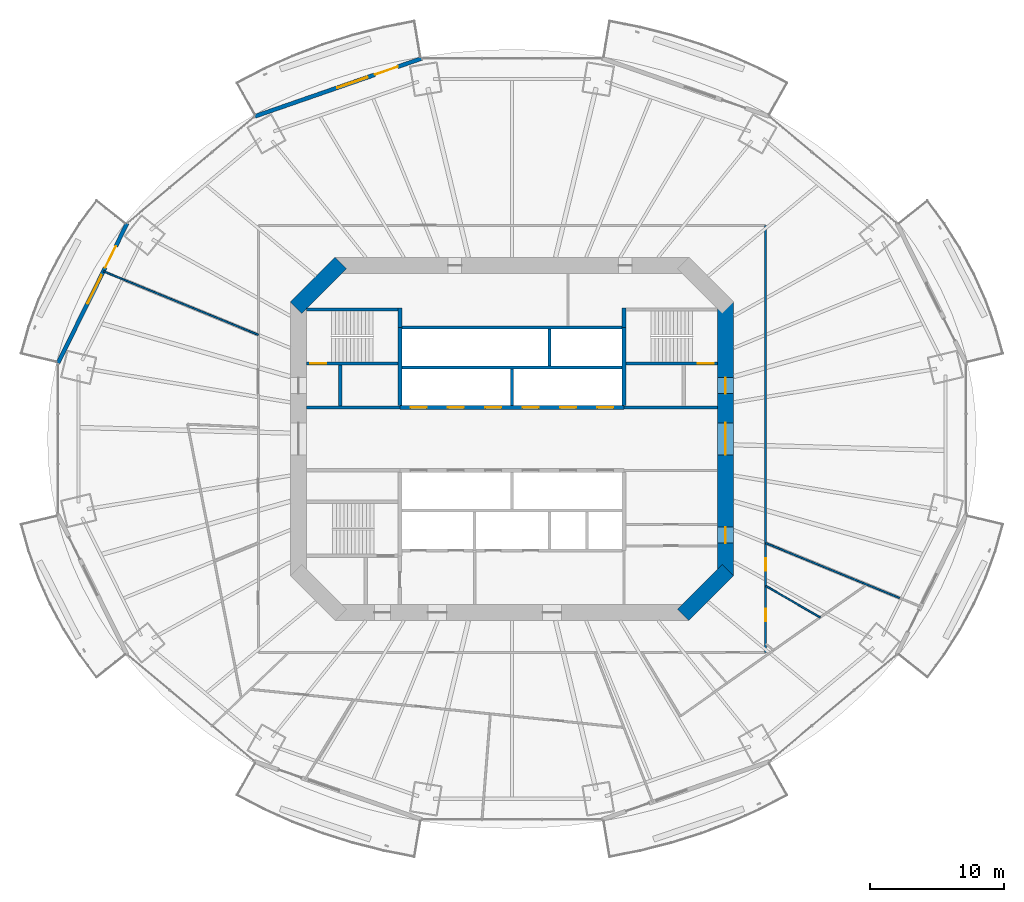
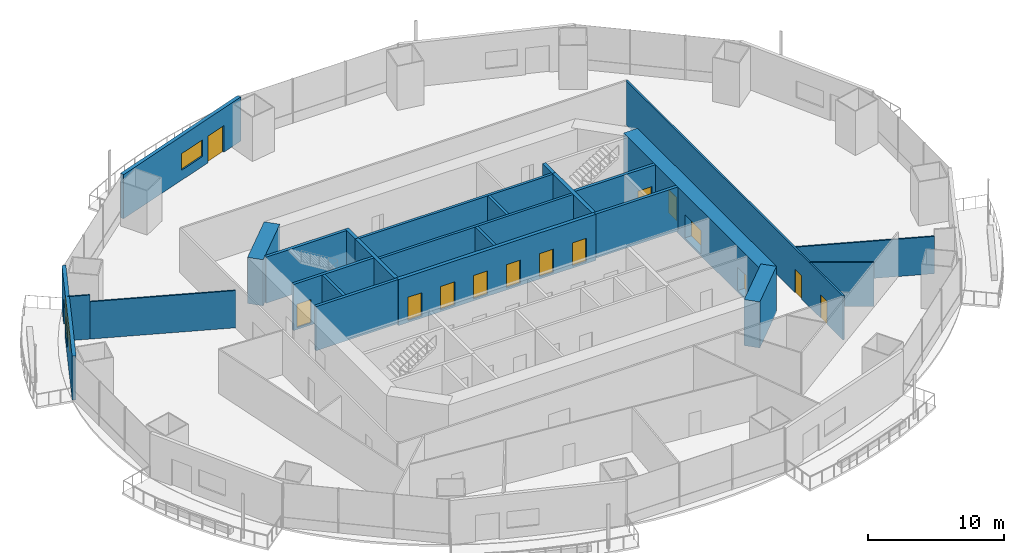
# One storey, part 15 of 22: 25 walls, 15 doors, 2 windows, 17 openings.
"""IFC4 building model written with IfcOpenShell, lengths in metres."""

from ifc_helpers import new_model, si_unit, direction, frame, frame_2d, origin, place, context, subcontext, project, spatial, rectangle, extrude, material, layer, layer_set, type_object, element, fill, save


model = new_model("IFC4")

# Units and contexts
model_context = context("Model", 3, precision=1e-05, world=origin(), true_north=direction((0.0, 1.0)))
body_context = subcontext(model_context, "Body", "Model", "MODEL_VIEW")
ifc_project = project(units=[si_unit("LENGTHUNIT", "METRE"), si_unit("AREAUNIT", "SQUARE_METRE"), si_unit("VOLUMEUNIT", "CUBIC_METRE"), si_unit("PLANEANGLEUNIT", "RADIAN"), si_unit("MASSUNIT", "GRAM", prefix="KILO")], contexts=[model_context])

# Site, building, storey
site_placement = place(None, origin())
site = spatial("IfcSite", under=ifc_project, at=site_placement, CompositionType="ELEMENT")
building_placement = place(site_placement, origin())
building = spatial("IfcBuilding", under=site, at=building_placement, Name="Marenthal Gate Tower", CompositionType="ELEMENT")
storey_placement = place(building_placement, frame((0.0, 0.0, 95.25)))
storey = spatial("IfcBuildingStorey", under=building, at=storey_placement, Name="L19", CompositionType="ELEMENT", Elevation=95.25)

# Wall
ifc_material_1 = material(Name="Concrete 60 MPa", Category="concrete")
ifc_layer_1 = layer(ifc_material_1, 1.199951171875)
ifc_layer_set_1 = layer_set([ifc_layer_1], Name="Core shear wall 1200")
wall_type_1 = type_object("IfcWallType", Name="Core shear wall 1200", PredefinedType="SHEAR", material=ifc_layer_set_1)
wall_1_placement = place(storey_placement, frame((12.82421875, -13.17578125, -0.179931640625), z_axis=(0.0, 0.0, 1.0), x_axis=(0.707106781187, 0.707106781187, 0.0)))
element("IfcWall", 1, at=wall_1_placement, inside=storey, type_object=wall_type_1, Name="Core wall 01", PredefinedType="SHEAR", context=body_context, shape_type="SweptSolid", body=[
    extrude(rectangle(XDim=4.73974609375, YDim=1.199951171875, at=frame_2d((2.369873046875, 0.0))), origin(), (0.0, 0.0, 1.0), 4.14990234375),
])

# Wall, openings, doors
wall_2_placement = place(storey_placement, frame((16.0, -10.24853515625, -0.179931640625), z_axis=(0.0, 0.0, 1.0), x_axis=(0.0, 1.0, 0.0)))
wall_2 = element("IfcWall", 2, at=wall_2_placement, inside=storey, type_object=wall_type_1, Name="Core wall 02", PredefinedType="SHEAR", context=body_context, shape_type="SweptSolid", body=[
    extrude(rectangle(XDim=20.4970703125, YDim=1.199951171875, at=frame_2d((10.24853515625, 0.0))), origin(), (0.0, 0.0, 1.0), 4.14990234375),
])
opening_1_placement = place(wall_2_placement, frame((9.048583984375, 0.0, 0.179931640625)))
opening_1 = element("IfcOpeningElement", 3, at=opening_1_placement, cuts=wall_2, Name="Opening D003.02", PredefinedType="OPENING", context=body_context, shape_type="SweptSolid", body=[
    extrude(rectangle(XDim=2.39990234375, YDim=2.10009765625, at=frame_2d((1.199951171875, 1.050048828125))), frame((0.0, 0.60986328125, 0.0), z_axis=(0.0, -1.0, 0.0), x_axis=(1.0, 0.0, 0.0)), (0.0, 0.0, 1.0), 1.219970703125),
])
opening_2_placement = place(wall_2_placement, frame((13.6484375, 0.0, 0.179931640625)))
opening_2 = element("IfcOpeningElement", 4, at=opening_2_placement, cuts=wall_2, Name="Opening D001.05", PredefinedType="OPENING", context=body_context, shape_type="SweptSolid", body=[
    extrude(rectangle(XDim=1.199951171875, YDim=2.10009765625, at=frame_2d((0.60009765625, 1.050048828125))), frame((0.0, 0.60986328125, 0.0), z_axis=(0.0, -1.0, 0.0), x_axis=(1.0, 0.0, 0.0)), (0.0, 0.0, 1.0), 1.219970703125),
])
opening_3_placement = place(wall_2_placement, frame((2.448486328125, 0.0, 0.179931640625)))
opening_3 = element("IfcOpeningElement", 5, at=opening_3_placement, cuts=wall_2, Name="Opening D006.01", PredefinedType="OPENING", context=body_context, shape_type="SweptSolid", body=[
    extrude(rectangle(XDim=1.199951171875, YDim=2.10009765625, at=frame_2d((0.60009765625, 1.050048828125))), frame((0.0, 0.60986328125, 0.0), z_axis=(0.0, -1.0, 0.0), x_axis=(1.0, 0.0, 0.0)), (0.0, 0.0, 1.0), 1.219970703125),
])
ifc_material_2 = material(Name="Steel fire door", Category="steel")
door_type_1 = type_object("IfcDoorType", Name="Double fire door FD 45 2400 x 2100", OperationType="DOUBLE_DOOR_SINGLE_SWING", PredefinedType="DOOR", material=ifc_material_2)
door_1_placement = place(opening_1_placement, origin())
door_1 = element("IfcDoor", 6, at=door_1_placement, inside=storey, type_object=door_type_1, Name="Door D003.02", OperationType="DOUBLE_DOOR_SINGLE_SWING", OverallHeight=2.10009765625, OverallWidth=2.39990234375, PredefinedType="DOOR", context=body_context, shape_type="SweptSolid", body=[
    extrude(rectangle(XDim=2.39990234375, YDim=2.10009765625, at=frame_2d((1.199951171875, 1.050048828125))), frame((0.0, 0.02490234375, 0.0), z_axis=(0.0, -1.0, 0.0), x_axis=(1.0, 0.0, 0.0)), (0.0, 0.0, 1.0), 0.050048828125),
])
fill(opening_1, door_1)
ifc_material_3 = material(Name="Steel fire door", Category="steel")
door_type_2 = type_object("IfcDoorType", Name="Fire door FD 45 1200 x 2100", OperationType="NOTDEFINED", PredefinedType="DOOR", material=ifc_material_3)
door_2_placement = place(opening_3_placement, origin())
door_2 = element("IfcDoor", 7, at=door_2_placement, inside=storey, type_object=door_type_2, Name="Door D006.01", OperationType="SINGLE_SWING_RIGHT", OverallHeight=2.10009765625, OverallWidth=1.199951171875, PredefinedType="DOOR", context=body_context, shape_type="SweptSolid", body=[
    extrude(rectangle(XDim=1.199951171875, YDim=2.10009765625, at=frame_2d((0.60009765625, 1.050048828125))), frame((0.0, 0.02490234375, 0.0), z_axis=(0.0, -1.0, 0.0), x_axis=(1.0, 0.0, 0.0)), (0.0, 0.0, 1.0), 0.050048828125),
])
fill(opening_3, door_2)
ifc_material_4 = material(Name="Steel fire door", Category="steel")
door_type_3 = type_object("IfcDoorType", Name="Fire door FD 90 1200 x 2100", OperationType="NOTDEFINED", PredefinedType="DOOR", material=ifc_material_4)
door_3_placement = place(opening_2_placement, origin())
door_3 = element("IfcDoor", 8, at=door_3_placement, inside=storey, type_object=door_type_3, Name="Door D001.05", OperationType="SINGLE_SWING_RIGHT", OverallHeight=2.10009765625, OverallWidth=1.199951171875, PredefinedType="DOOR", context=body_context, shape_type="SweptSolid", body=[
    extrude(rectangle(XDim=1.199951171875, YDim=2.10009765625, at=frame_2d((0.60009765625, 1.050048828125))), frame((0.0, 0.02490234375, 0.0), z_axis=(0.0, -1.0, 0.0), x_axis=(1.0, 0.0, 0.0)), (0.0, 0.0, 1.0), 0.050048828125),
])
fill(opening_2, door_3)

# Wall
wall_3_placement = place(storey_placement, frame((-12.82421875, 13.17578125, -0.179931640625), z_axis=(0.0, 0.0, 1.0), x_axis=(-0.707106781187, -0.707106781187, 0.0)))
element("IfcWall", 9, at=wall_3_placement, inside=storey, type_object=wall_type_1, Name="Core wall 05", PredefinedType="SHEAR", context=body_context, shape_type="SweptSolid", body=[
    extrude(rectangle(XDim=4.73974609375, YDim=1.199951171875, at=frame_2d((2.369873046875, 0.0))), origin(), (0.0, 0.0, 1.0), 4.14990234375),
])

# Wall, openings, doors
ifc_material_5 = material(Name="Concrete 50 MPa", Category="concrete")
ifc_layer_2 = layer(ifc_material_5, 0.300048828125)
ifc_layer_set_2 = layer_set([ifc_layer_2], Name="Hoistway shear wall 300")
wall_type_2 = type_object("IfcWallType", Name="Hoistway shear wall 300", PredefinedType="SHEAR", material=ifc_layer_set_2)
wall_4_placement = place(storey_placement, frame((-8.39990234375, 2.35009765625, -0.179931640625), z_axis=(0.0, 0.0, 1.0), x_axis=(1.0, 0.0, 0.0)))
wall_4 = element("IfcWall", 10, at=wall_4_placement, inside=storey, type_object=wall_type_2, Name="Hoistway wall 20", PredefinedType="SHEAR", context=body_context, shape_type="SweptSolid", body=[
    extrude(rectangle(XDim=16.7998046875, YDim=0.300048828125, at=frame_2d((8.39990234375, 0.0))), origin(), (0.0, 0.0, 1.0), 4.14990234375),
])
opening_4_placement = place(wall_4_placement, frame((0.800048828125, 0.0, 0.179931640625)))
opening_4 = element("IfcOpeningElement", 11, at=opening_4_placement, cuts=wall_4, Name="Opening LD-LP1", PredefinedType="OPENING", context=body_context, shape_type="SweptSolid", body=[
    extrude(rectangle(XDim=1.199951171875, YDim=2.10009765625, at=frame_2d((0.60009765625, 1.050048828125))), frame((0.0, 0.16015625, 0.0), z_axis=(0.0, -1.0, 0.0), x_axis=(1.0, 0.0, 0.0)), (0.0, 0.0, 1.0), 0.320068359375),
])
opening_5_placement = place(wall_4_placement, frame((3.60009765625, 0.0, 0.179931640625)))
opening_5 = element("IfcOpeningElement", 12, at=opening_5_placement, cuts=wall_4, Name="Opening LD-LP2", PredefinedType="OPENING", context=body_context, shape_type="SweptSolid", body=[
    extrude(rectangle(XDim=1.199951171875, YDim=2.10009765625, at=frame_2d((0.60009765625, 1.050048828125))), frame((0.0, 0.16015625, 0.0), z_axis=(0.0, -1.0, 0.0), x_axis=(1.0, 0.0, 0.0)), (0.0, 0.0, 1.0), 0.320068359375),
])
opening_6_placement = place(wall_4_placement, frame((6.39990234375, 0.0, 0.179931640625)))
opening_6 = element("IfcOpeningElement", 13, at=opening_6_placement, cuts=wall_4, Name="Opening LD-LP3", PredefinedType="OPENING", context=body_context, shape_type="SweptSolid", body=[
    extrude(rectangle(XDim=1.199951171875, YDim=2.10009765625, at=frame_2d((0.60009765625, 1.050048828125))), frame((0.0, 0.16015625, 0.0), z_axis=(0.0, -1.0, 0.0), x_axis=(1.0, 0.0, 0.0)), (0.0, 0.0, 1.0), 0.320068359375),
])
opening_7_placement = place(wall_4_placement, frame((9.199951171875, 0.0, 0.179931640625)))
opening_7 = element("IfcOpeningElement", 14, at=opening_7_placement, cuts=wall_4, Name="Opening LD-LP4", PredefinedType="OPENING", context=body_context, shape_type="SweptSolid", body=[
    extrude(rectangle(XDim=1.199951171875, YDim=2.10009765625, at=frame_2d((0.60009765625, 1.050048828125))), frame((0.0, 0.16015625, 0.0), z_axis=(0.0, -1.0, 0.0), x_axis=(1.0, 0.0, 0.0)), (0.0, 0.0, 1.0), 0.320068359375),
])
opening_8_placement = place(wall_4_placement, frame((12.0, 0.0, 0.179931640625)))
opening_8 = element("IfcOpeningElement", 15, at=opening_8_placement, cuts=wall_4, Name="Opening LD-LP5", PredefinedType="OPENING", context=body_context, shape_type="SweptSolid", body=[
    extrude(rectangle(XDim=1.199951171875, YDim=2.10009765625, at=frame_2d((0.60009765625, 1.050048828125))), frame((0.0, 0.16015625, 0.0), z_axis=(0.0, -1.0, 0.0), x_axis=(1.0, 0.0, 0.0)), (0.0, 0.0, 1.0), 0.320068359375),
])
opening_9_placement = place(wall_4_placement, frame((14.800048828125, 0.0, 0.179931640625)))
opening_9 = element("IfcOpeningElement", 16, at=opening_9_placement, cuts=wall_4, Name="Opening LD-LP6", PredefinedType="OPENING", context=body_context, shape_type="SweptSolid", body=[
    extrude(rectangle(XDim=1.199951171875, YDim=2.10009765625, at=frame_2d((0.60009765625, 1.050048828125))), frame((0.0, 0.16015625, 0.0), z_axis=(0.0, -1.0, 0.0), x_axis=(1.0, 0.0, 0.0)), (0.0, 0.0, 1.0), 0.320068359375),
])
ifc_material_6 = material(Name="Stainless steel sliding door", Category="steel")
door_type_4 = type_object("IfcDoorType", Name="Lift landing door FD 90 1200 x 2100", OperationType="DOUBLE_DOOR_SLIDING", PredefinedType="DOOR", material=ifc_material_6)
door_4_placement = place(opening_4_placement, origin())
door_4 = element("IfcDoor", 17, at=door_4_placement, inside=storey, type_object=door_type_4, Name="Lift landing door LP1", OperationType="DOUBLE_DOOR_SLIDING", OverallHeight=2.10009765625, OverallWidth=1.199951171875, PredefinedType="DOOR", context=body_context, shape_type="SweptSolid", body=[
    extrude(rectangle(XDim=1.199951171875, YDim=2.10009765625, at=frame_2d((0.60009765625, 1.050048828125))), frame((0.0, 0.02490234375, 0.0), z_axis=(0.0, -1.0, 0.0), x_axis=(1.0, 0.0, 0.0)), (0.0, 0.0, 1.0), 0.050048828125),
])
fill(opening_4, door_4)
door_5_placement = place(opening_5_placement, origin())
door_5 = element("IfcDoor", 18, at=door_5_placement, inside=storey, type_object=door_type_4, Name="Lift landing door LP2", OperationType="DOUBLE_DOOR_SLIDING", OverallHeight=2.10009765625, OverallWidth=1.199951171875, PredefinedType="DOOR", context=body_context, shape_type="SweptSolid", body=[
    extrude(rectangle(XDim=1.199951171875, YDim=2.10009765625, at=frame_2d((0.60009765625, 1.050048828125))), frame((0.0, 0.02490234375, 0.0), z_axis=(0.0, -1.0, 0.0), x_axis=(1.0, 0.0, 0.0)), (0.0, 0.0, 1.0), 0.050048828125),
])
fill(opening_5, door_5)
door_6_placement = place(opening_6_placement, origin())
door_6 = element("IfcDoor", 19, at=door_6_placement, inside=storey, type_object=door_type_4, Name="Lift landing door LP3", OperationType="DOUBLE_DOOR_SLIDING", OverallHeight=2.10009765625, OverallWidth=1.199951171875, PredefinedType="DOOR", context=body_context, shape_type="SweptSolid", body=[
    extrude(rectangle(XDim=1.199951171875, YDim=2.10009765625, at=frame_2d((0.60009765625, 1.050048828125))), frame((0.0, 0.02490234375, 0.0), z_axis=(0.0, -1.0, 0.0), x_axis=(1.0, 0.0, 0.0)), (0.0, 0.0, 1.0), 0.050048828125),
])
fill(opening_6, door_6)
door_7_placement = place(opening_7_placement, origin())
door_7 = element("IfcDoor", 20, at=door_7_placement, inside=storey, type_object=door_type_4, Name="Lift landing door LP4", OperationType="DOUBLE_DOOR_SLIDING", OverallHeight=2.10009765625, OverallWidth=1.199951171875, PredefinedType="DOOR", context=body_context, shape_type="SweptSolid", body=[
    extrude(rectangle(XDim=1.199951171875, YDim=2.10009765625, at=frame_2d((0.60009765625, 1.050048828125))), frame((0.0, 0.02490234375, 0.0), z_axis=(0.0, -1.0, 0.0), x_axis=(1.0, 0.0, 0.0)), (0.0, 0.0, 1.0), 0.050048828125),
])
fill(opening_7, door_7)
door_8_placement = place(opening_8_placement, origin())
door_8 = element("IfcDoor", 21, at=door_8_placement, inside=storey, type_object=door_type_4, Name="Lift landing door LP5", OperationType="DOUBLE_DOOR_SLIDING", OverallHeight=2.10009765625, OverallWidth=1.199951171875, PredefinedType="DOOR", context=body_context, shape_type="SweptSolid", body=[
    extrude(rectangle(XDim=1.199951171875, YDim=2.10009765625, at=frame_2d((0.60009765625, 1.050048828125))), frame((0.0, 0.02490234375, 0.0), z_axis=(0.0, -1.0, 0.0), x_axis=(1.0, 0.0, 0.0)), (0.0, 0.0, 1.0), 0.050048828125),
])
fill(opening_8, door_8)
door_9_placement = place(opening_9_placement, origin())
door_9 = element("IfcDoor", 22, at=door_9_placement, inside=storey, type_object=door_type_4, Name="Lift landing door LP6", OperationType="DOUBLE_DOOR_SLIDING", OverallHeight=2.10009765625, OverallWidth=1.199951171875, PredefinedType="DOOR", context=body_context, shape_type="SweptSolid", body=[
    extrude(rectangle(XDim=1.199951171875, YDim=2.10009765625, at=frame_2d((0.60009765625, 1.050048828125))), frame((0.0, 0.02490234375, 0.0), z_axis=(0.0, -1.0, 0.0), x_axis=(1.0, 0.0, 0.0)), (0.0, 0.0, 1.0), 0.050048828125),
])
fill(opening_9, door_9)

# Walls
for number, where, z_axis, x_axis, name in (
    (23, (-8.39990234375, 2.5, -0.179931640625), (0.0, 0.0, 1.0), (0.0, 1.0, 0.0), "Hoistway wall 32"),
    (24, (8.39990234375, 2.5, -0.179931640625), (0.0, 0.0, 1.0), (0.0, 1.0, 0.0), "Hoistway wall 44"),
):
    element("IfcWall", number, at=place(storey_placement, frame(where, z_axis=z_axis, x_axis=x_axis)), inside=storey, type_object=wall_type_2, Name=name, PredefinedType="SHEAR", context=body_context, shape_type="SweptSolid", body=[
        extrude(rectangle(XDim=5.85009765625, YDim=0.300048828125, at=frame_2d((2.925048828125, 0.0))), origin(), (0.0, 0.0, 1.0), 4.14990234375),
    ])
ifc_material_7 = material(Name="Concrete 40 MPa", Category="concrete")
ifc_layer_3 = layer(ifc_material_7, 0.219970703125)
ifc_layer_set_3 = layer_set([ifc_layer_3], Name="Hoistway wall 220")
wall_type_3 = type_object("IfcWallType", Name="Hoistway wall 220", PredefinedType="STANDARD", material=ifc_layer_set_3)
for number, where, z_axis, x_axis, name in (
    (25, (-8.25, 5.35009765625, 0.0), (0.0, 0.0, 1.0), (1.0, 0.0, 0.0), "Hoistway wall 22"),
    (26, (-8.25, 8.35009765625, 0.0), (0.0, 0.0, 1.0), (1.0, 0.0, 0.0), "Hoistway wall 25"),
):
    element("IfcWall", number, at=place(storey_placement, frame(where, z_axis=z_axis, x_axis=x_axis)), inside=storey, type_object=wall_type_3, Name=name, PredefinedType="STANDARD", context=body_context, shape_type="SweptSolid", body=[
        extrude(rectangle(XDim=16.5, YDim=0.219970703125, at=frame_2d((8.25, 0.0))), origin(), (0.0, 0.0, 1.0), 3.969970703125),
    ])
wall_5_placement = place(storey_placement, frame((0.0, 2.5, 0.0), z_axis=(0.0, 0.0, 1.0), x_axis=(0.0, 1.0, 0.0)))
element("IfcWall", 27, at=wall_5_placement, inside=storey, type_object=wall_type_3, Name="Hoistway wall 37", PredefinedType="STANDARD", context=body_context, shape_type="SweptSolid", body=[
    extrude(rectangle(XDim=2.739990234375, YDim=0.219970703125, at=frame_2d((1.3701171875, 0.0))), origin(), (0.0, 0.0, 1.0), 3.969970703125),
])
wall_6_placement = place(storey_placement, frame((2.800048828125, 5.4599609375, 0.0), z_axis=(0.0, 0.0, 1.0), x_axis=(0.0, 1.0, 0.0)))
element("IfcWall", 28, at=wall_6_placement, inside=storey, type_object=wall_type_3, Name="Hoistway wall 39", PredefinedType="STANDARD", context=body_context, shape_type="SweptSolid", body=[
    extrude(rectangle(XDim=2.780029296875, YDim=0.219970703125, at=frame_2d((1.39013671875, 0.0))), origin(), (0.0, 0.0, 1.0), 3.969970703125),
])
ifc_material_8 = material(Name="Gypsum board on steel studs", Category="steel")
ifc_layer_4 = layer(ifc_material_8, 0.1201171875)
ifc_layer_set_4 = layer_set([ifc_layer_4], Name="Partition 120")
wall_type_4 = type_object("IfcWallType", Name="Partition 120", PredefinedType="PARTITIONING", material=ifc_layer_set_4)
wall_7_placement = place(storey_placement, frame((-19.0, 7.796142578125, 0.0), z_axis=(0.0, 0.0, 1.0), x_axis=(-0.925143345305, 0.379617953524, 0.0)))
element("IfcWall", 29, at=wall_7_placement, inside=storey, type_object=wall_type_4, Name="Partition wall 52", PredefinedType="PARTITIONING", context=body_context, shape_type="SweptSolid", body=[
    extrude(rectangle(XDim=10.873291015625, YDim=0.1201171875, at=frame_2d((5.4365234375, 0.0))), origin(), (0.0, 0.0, 1.0), 3.35791015625),
])
wall_8_placement = place(storey_placement, frame((-29.059326171875, 11.923828125, 0.0), z_axis=(0.0, 0.0, 1.0), x_axis=(-0.925139536351, 0.379627235957, 0.0)))
element("IfcWall", 30, at=wall_8_placement, inside=storey, type_object=wall_type_4, Name="Partition wall 66", PredefinedType="PARTITIONING", context=body_context, shape_type="SweptSolid", body=[
    extrude(rectangle(XDim=1.6630859375, YDim=0.1201171875, at=frame_2d((0.83154296875, 0.0))), origin(), (0.0, 0.0, 1.0), 3.969970703125),
])
wall_9_placement = place(storey_placement, frame((19.0, -7.796142578125, 0.0), z_axis=(0.0, 0.0, 1.0), x_axis=(0.925143345305, -0.379617953524, 0.0)))
element("IfcWall", 31, at=wall_9_placement, inside=storey, type_object=wall_type_4, Name="Partition wall 62", PredefinedType="PARTITIONING", context=body_context, shape_type="SweptSolid", body=[
    extrude(rectangle(XDim=10.873291015625, YDim=0.1201171875, at=frame_2d((5.4365234375, 0.0))), origin(), (0.0, 0.0, 1.0), 3.35791015625),
])
wall_10_placement = place(storey_placement, frame((23.078857421875, -13.365478515625, 0.0), z_axis=(0.0, 0.0, 1.0), x_axis=(-0.865369539842, 0.501134272938, 0.0)))
element("IfcWall", 32, at=wall_10_placement, inside=storey, type_object=wall_type_4, Name="Partition wall 65", PredefinedType="PARTITIONING", context=body_context, shape_type="SweptSolid", body=[
    extrude(rectangle(XDim=4.71337890625, YDim=0.1201171875, at=frame_2d((2.356689453125, 0.0))), origin(), (0.0, 0.0, 1.0), 3.969970703125),
])

# Wall, openings, doors
ifc_material_9 = material(Name="Gypsum board on steel studs", Category="steel")
ifc_layer_5 = layer(ifc_material_9, 0.14990234375)
ifc_layer_set_5 = layer_set([ifc_layer_5], Name="Partition 150")
wall_type_5 = type_object("IfcWallType", Name="Partition 150", PredefinedType="PARTITIONING", material=ifc_layer_set_5)
wall_11_placement = place(storey_placement, frame((19.0, 16.0, 0.0), z_axis=(0.0, 0.0, 1.0), x_axis=(0.0, -1.0, 0.0)))
wall_11 = element("IfcWall", 33, at=wall_11_placement, inside=storey, type_object=wall_type_5, Name="Partition wall 63", PredefinedType="PARTITIONING", context=body_context, shape_type="SweptSolid", body=[
    extrude(rectangle(XDim=32.0, YDim=0.14990234375, at=frame_2d((16.0, 0.0))), origin(), (0.0, 0.0, 1.0), 3.969970703125),
])
opening_10_placement = place(wall_11_placement, frame((28.702880859375, 0.0, 0.0)))
opening_10 = element("IfcOpeningElement", 34, at=opening_10_placement, cuts=wall_11, Name="Opening D016.08", PredefinedType="OPENING", context=body_context, shape_type="SweptSolid", body=[
    extrude(rectangle(XDim=0.949951171875, YDim=2.10009765625, at=frame_2d((0.47509765625, 1.050048828125))), frame((0.0, 0.0849609375, 0.0), z_axis=(0.0, -1.0, 0.0), x_axis=(1.0, 0.0, 0.0)), (0.0, 0.0, 1.0), 0.169921875),
])
opening_11_placement = place(wall_11_placement, frame((24.924072265625, 0.0, 0.0)))
opening_11 = element("IfcOpeningElement", 35, at=opening_11_placement, cuts=wall_11, Name="Opening D016.09", PredefinedType="OPENING", context=body_context, shape_type="SweptSolid", body=[
    extrude(rectangle(XDim=0.949951171875, YDim=2.10009765625, at=frame_2d((0.47509765625, 1.050048828125))), frame((0.0, 0.0849609375, 0.0), z_axis=(0.0, -1.0, 0.0), x_axis=(1.0, 0.0, 0.0)), (0.0, 0.0, 1.0), 0.169921875),
])
ifc_material_10 = material(Name="Timber door", Category="wood")
door_type_5 = type_object("IfcDoorType", Name="Door 950 x 2100", OperationType="NOTDEFINED", PredefinedType="DOOR", material=ifc_material_10)
door_10_placement = place(opening_10_placement, origin())
door_10 = element("IfcDoor", 36, at=door_10_placement, inside=storey, type_object=door_type_5, Name="Door D016.08", OperationType="SINGLE_SWING_RIGHT", OverallHeight=2.10009765625, OverallWidth=0.949951171875, PredefinedType="DOOR", context=body_context, shape_type="SweptSolid", body=[
    extrude(rectangle(XDim=0.949951171875, YDim=2.10009765625, at=frame_2d((0.47509765625, 1.050048828125))), frame((0.0, 0.02490234375, 0.0), z_axis=(0.0, -1.0, 0.0), x_axis=(1.0, 0.0, 0.0)), (0.0, 0.0, 1.0), 0.050048828125),
])
fill(opening_10, door_10)
door_11_placement = place(opening_11_placement, origin())
door_11 = element("IfcDoor", 37, at=door_11_placement, inside=storey, type_object=door_type_5, Name="Door D016.09", OperationType="SINGLE_SWING_RIGHT", OverallHeight=2.10009765625, OverallWidth=0.949951171875, PredefinedType="DOOR", context=body_context, shape_type="SweptSolid", body=[
    extrude(rectangle(XDim=0.949951171875, YDim=2.10009765625, at=frame_2d((0.47509765625, 1.050048828125))), frame((0.0, 0.02490234375, 0.0), z_axis=(0.0, -1.0, 0.0), x_axis=(1.0, 0.0, 0.0)), (0.0, 0.0, 1.0), 0.050048828125),
])
fill(opening_11, door_11)

# Walls
ifc_material_11 = material(Name="Concrete 40 MPa", Category="concrete")
ifc_layer_6 = layer(ifc_material_11, 0.25)
ifc_layer_set_6 = layer_set([ifc_layer_6], Name="Stair enclosure wall 250")
wall_type_6 = type_object("IfcWallType", Name="Stair enclosure wall 250", PredefinedType="STANDARD", material=ifc_layer_set_6)
for number, where, z_axis, x_axis, name in (
    (38, (-15.39990234375, 2.35009765625, 0.0), (0.0, 0.0, 1.0), (1.0, 0.0, 0.0), "Stair wall 19"),
    (39, (8.39990234375, 2.35009765625, 0.0), (0.0, 0.0, 1.0), (1.0, 0.0, 0.0), "Stair wall 21"),
):
    element("IfcWall", number, at=place(storey_placement, frame(where, z_axis=z_axis, x_axis=x_axis)), inside=storey, type_object=wall_type_6, Name=name, PredefinedType="STANDARD", context=body_context, shape_type="SweptSolid", body=[
        extrude(rectangle(XDim=7.0, YDim=0.25, at=frame_2d((3.5, 0.0))), origin(), (0.0, 0.0, 1.0), 3.969970703125),
    ])
wall_12_placement = place(storey_placement, frame((-12.85009765625, 2.47509765625, 0.0), z_axis=(0.0, 0.0, 1.0), x_axis=(0.0, 1.0, 0.0)))
element("IfcWall", 40, at=wall_12_placement, inside=storey, type_object=wall_type_6, Name="Stair wall 28", PredefinedType="STANDARD", context=body_context, shape_type="SweptSolid", body=[
    extrude(rectangle(XDim=3.0498046875, YDim=0.25, at=frame_2d((1.52490234375, 0.0))), origin(), (0.0, 0.0, 1.0), 3.969970703125),
])

# Wall, opening, door
ifc_material_12 = material(Name="Concrete 50 MPa", Category="concrete")
ifc_layer_7 = layer(ifc_material_12, 0.25)
ifc_layer_set_7 = layer_set([ifc_layer_7], Name="Stair shear wall 250")
wall_type_7 = type_object("IfcWallType", Name="Stair shear wall 250", PredefinedType="SHEAR", material=ifc_layer_set_7)
wall_13_placement = place(storey_placement, frame((-15.39990234375, 5.64990234375, -0.179931640625), z_axis=(0.0, 0.0, 1.0), x_axis=(1.0, 0.0, 0.0)))
wall_13 = element("IfcWall", 41, at=wall_13_placement, inside=storey, type_object=wall_type_7, Name="Stair wall 23", PredefinedType="SHEAR", context=body_context, shape_type="SweptSolid", body=[
    extrude(rectangle(XDim=6.849853515625, YDim=0.25, at=frame_2d((3.4248046875, 0.0))), origin(), (0.0, 0.0, 1.0), 4.14990234375),
])
opening_12_placement = place(wall_13_placement, frame((0.300048828125, 0.0, 0.179931640625)))
opening_12 = element("IfcOpeningElement", 42, at=opening_12_placement, cuts=wall_13, Name="Opening D001.01", PredefinedType="OPENING", context=body_context, shape_type="SweptSolid", body=[
    extrude(rectangle(XDim=1.199951171875, YDim=2.10009765625, at=frame_2d((0.60009765625, 1.050048828125))), frame((0.0, 0.135009765625, 0.0), z_axis=(0.0, -1.0, 0.0), x_axis=(1.0, 0.0, 0.0)), (0.0, 0.0, 1.0), 0.27001953125),
])
door_12_placement = place(opening_12_placement, origin())
door_12 = element("IfcDoor", 43, at=door_12_placement, inside=storey, type_object=door_type_3, Name="Door D001.01", OperationType="SINGLE_SWING_RIGHT", OverallHeight=2.10009765625, OverallWidth=1.199951171875, PredefinedType="DOOR", context=body_context, shape_type="SweptSolid", body=[
    extrude(rectangle(XDim=1.199951171875, YDim=2.10009765625, at=frame_2d((0.60009765625, 1.050048828125))), frame((0.0, 0.02490234375, 0.0), z_axis=(0.0, -1.0, 0.0), x_axis=(1.0, 0.0, 0.0)), (0.0, 0.0, 1.0), 0.050048828125),
])
fill(opening_12, door_12)

wall_14_placement = place(storey_placement, frame((8.550048828125, 5.64990234375, -0.179931640625), z_axis=(0.0, 0.0, 1.0), x_axis=(1.0, 0.0, 0.0)))
wall_14 = element("IfcWall", 44, at=wall_14_placement, inside=storey, type_object=wall_type_7, Name="Stair wall 24", PredefinedType="SHEAR", context=body_context, shape_type="SweptSolid", body=[
    extrude(rectangle(XDim=6.849853515625, YDim=0.25, at=frame_2d((3.4248046875, 0.0))), origin(), (0.0, 0.0, 1.0), 4.14990234375),
])
opening_13_placement = place(wall_14_placement, frame((5.35009765625, 0.0, 0.179931640625)))
opening_13 = element("IfcOpeningElement", 45, at=opening_13_placement, cuts=wall_14, Name="Opening D001.02", PredefinedType="OPENING", context=body_context, shape_type="SweptSolid", body=[
    extrude(rectangle(XDim=1.199951171875, YDim=2.10009765625, at=frame_2d((0.60009765625, 1.050048828125))), frame((0.0, 0.135009765625, 0.0), z_axis=(0.0, -1.0, 0.0), x_axis=(1.0, 0.0, 0.0)), (0.0, 0.0, 1.0), 0.27001953125),
])
door_13_placement = place(opening_13_placement, origin())
door_13 = element("IfcDoor", 46, at=door_13_placement, inside=storey, type_object=door_type_3, Name="Door D001.02", OperationType="SINGLE_SWING_RIGHT", OverallHeight=2.10009765625, OverallWidth=1.199951171875, PredefinedType="DOOR", context=body_context, shape_type="SweptSolid", body=[
    extrude(rectangle(XDim=1.199951171875, YDim=2.10009765625, at=frame_2d((0.60009765625, 1.050048828125))), frame((0.0, 0.02490234375, 0.0), z_axis=(0.0, -1.0, 0.0), x_axis=(1.0, 0.0, 0.0)), (0.0, 0.0, 1.0), 0.050048828125),
])
fill(opening_13, door_13)

# Walls
wall_15_placement = place(storey_placement, frame((-15.39990234375, 9.699951171875, -0.179931640625), z_axis=(0.0, 0.0, 1.0), x_axis=(1.0, 0.0, 0.0)))
element("IfcWall", 47, at=wall_15_placement, inside=storey, type_object=wall_type_7, Name="Stair wall 26", PredefinedType="SHEAR", context=body_context, shape_type="SweptSolid", body=[
    extrude(rectangle(XDim=6.849853515625, YDim=0.25, at=frame_2d((3.4248046875, 0.0))), origin(), (0.0, 0.0, 1.0), 4.14990234375),
])
ifc_material_13 = material(Name="Concrete 50 MPa", Category="concrete")
ifc_layer_8 = layer(ifc_material_13, 0.300048828125)
ifc_layer_set_8 = layer_set([ifc_layer_8], Name="Stair shear wall 300")
wall_type_8 = type_object("IfcWallType", Name="Stair shear wall 300", PredefinedType="SHEAR", material=ifc_layer_set_8)
for number, where, z_axis, x_axis, name in (
    (48, (-8.39990234375, 8.35009765625, -0.179931640625), (0.0, 0.0, 1.0), (0.0, 1.0, 0.0), "Stair wall 33"),
    (49, (8.39990234375, 8.35009765625, -0.179931640625), (0.0, 0.0, 1.0), (0.0, 1.0, 0.0), "Stair wall 45"),
):
    element("IfcWall", number, at=place(storey_placement, frame(where, z_axis=z_axis, x_axis=x_axis)), inside=storey, type_object=wall_type_8, Name=name, PredefinedType="SHEAR", context=body_context, shape_type="SweptSolid", body=[
        extrude(rectangle(XDim=1.474853515625, YDim=0.300048828125, at=frame_2d((0.7373046875, 0.0))), origin(), (0.0, 0.0, 1.0), 4.14990234375),
    ])

# Wall, openings, door, window
ifc_material_14 = material(Name="Terracotta cladding on insulated concrete-block backing", Category="masonry")
ifc_layer_9 = layer(ifc_material_14, 0.300048828125)
ifc_layer_set_9 = layer_set([ifc_layer_9], Name="Terracotta facade wall 300")
wall_type_9 = type_object("IfcWallType", Name="Terracotta facade wall 300", PredefinedType="SOLIDWALL", material=ifc_layer_set_9)
wall_16_placement = place(storey_placement, frame((-6.763427734375, 28.494873046875, 0.0), z_axis=(0.0, 0.0, 1.0), x_axis=(-0.944700030718, -0.327935743647, 0.0)))
wall_16 = element("IfcWall", 50, at=wall_16_placement, inside=storey, type_object=wall_type_9, Name="Terracotta facade wall L19 bay 5", PredefinedType="SOLIDWALL", context=body_context, shape_type="SweptSolid", body=[
    extrude(rectangle(XDim=13.228515625, YDim=0.300048828125, at=frame_2d((6.6142578125, 0.0))), origin(), (0.0, 0.0, 1.0), 3.969970703125),
])
opening_14_placement = place(wall_16_placement, frame((1.89990234375, 0.0, 0.0)))
opening_14 = element("IfcOpeningElement", 51, at=opening_14_placement, cuts=wall_16, Name="Opening BD-L19-05", PredefinedType="OPENING", context=body_context, shape_type="SweptSolid", body=[
    extrude(rectangle(XDim=1.800048828125, YDim=2.39990234375, at=frame_2d((0.89990234375, 1.199951171875))), frame((0.0, 0.16015625, 0.0), z_axis=(0.0, -1.0, 0.0), x_axis=(1.0, 0.0, 0.0)), (0.0, 0.0, 1.0), 0.320068359375),
])
opening_15_placement = place(wall_16_placement, frame((4.300048828125, 0.0, 0.89990234375)))
opening_15 = element("IfcOpeningElement", 52, at=opening_15_placement, cuts=wall_16, Name="Opening WN1-L19-05", PredefinedType="OPENING", context=body_context, shape_type="SweptSolid", body=[
    extrude(rectangle(XDim=2.39990234375, YDim=1.5, at=frame_2d((1.199951171875, 0.75))), frame((0.0, 0.16015625, 0.0), z_axis=(0.0, -1.0, 0.0), x_axis=(1.0, 0.0, 0.0)), (0.0, 0.0, 1.0), 0.320068359375),
])
ifc_material_15 = material(Name="Aluminium and glass", Category="aluminium")
door_type_6 = type_object("IfcDoorType", Name="Balcony door 1800x2400", OperationType="DOUBLE_DOOR_SINGLE_SWING", PredefinedType="DOOR", material=ifc_material_15)
door_14_placement = place(opening_14_placement, origin())
door_14 = element("IfcDoor", 53, at=door_14_placement, inside=storey, type_object=door_type_6, Name="Balcony door L19 bay 5", OperationType="SINGLE_SWING_LEFT", OverallHeight=2.39990234375, OverallWidth=1.800048828125, PredefinedType="DOOR", context=body_context, shape_type="SweptSolid", body=[
    extrude(rectangle(XDim=1.800048828125, YDim=2.39990234375, at=frame_2d((0.89990234375, 1.199951171875))), frame((0.0, 0.02490234375, 0.0), z_axis=(0.0, -1.0, 0.0), x_axis=(1.0, 0.0, 0.0)), (0.0, 0.0, 1.0), 0.050048828125),
])
fill(opening_14, door_14)
ifc_material_16 = material(Name="Aluminium and glass", Category="aluminium")
window_type = type_object("IfcWindowType", Name="Window 2400x1500", PartitioningType="TRIPLE_PANEL_VERTICAL", PredefinedType="WINDOW", material=ifc_material_16)
window_1_placement = place(opening_15_placement, origin())
window_1 = element("IfcWindow", 54, at=window_1_placement, inside=storey, type_object=window_type, Name="Window L19 bay 5", OverallHeight=1.5, OverallWidth=2.39990234375, PartitioningType="SINGLE_PANEL", PredefinedType="WINDOW", context=body_context, shape_type="SweptSolid", body=[
    extrude(rectangle(XDim=2.39990234375, YDim=1.5, at=frame_2d((1.199951171875, 0.75))), frame((0.0, 0.030029296875, 0.0), z_axis=(0.0, -1.0, 0.0), x_axis=(1.0, 0.0, 0.0)), (0.0, 0.0, 1.0), 0.06005859375),
])
fill(opening_15, window_1)

wall_17_placement = place(storey_placement, frame((-28.825439453125, 16.14111328125, 0.0), z_axis=(0.0, 0.0, 1.0), x_axis=(-0.4430961796, -0.896474079728, 0.0)))
wall_17 = element("IfcWall", 55, at=wall_17_placement, inside=storey, type_object=wall_type_9, Name="Terracotta facade wall L19 bay 7", PredefinedType="SOLIDWALL", context=body_context, shape_type="SweptSolid", body=[
    extrude(rectangle(XDim=11.6826171875, YDim=0.300048828125, at=frame_2d((5.84130859375, 0.0))), origin(), (0.0, 0.0, 1.0), 3.969970703125),
])
opening_16_placement = place(wall_17_placement, frame((1.89990234375, 0.0, 0.0)))
opening_16 = element("IfcOpeningElement", 56, at=opening_16_placement, cuts=wall_17, Name="Opening BD-L19-07", PredefinedType="OPENING", context=body_context, shape_type="SweptSolid", body=[
    extrude(rectangle(XDim=1.800048828125, YDim=2.39990234375, at=frame_2d((0.89990234375, 1.199951171875))), frame((0.0, 0.16015625, 0.0), z_axis=(0.0, -1.0, 0.0), x_axis=(1.0, 0.0, 0.0)), (0.0, 0.0, 1.0), 0.320068359375),
])
opening_17_placement = place(wall_17_placement, frame((4.300048828125, 0.0, 0.89990234375)))
opening_17 = element("IfcOpeningElement", 57, at=opening_17_placement, cuts=wall_17, Name="Opening WN1-L19-07", PredefinedType="OPENING", context=body_context, shape_type="SweptSolid", body=[
    extrude(rectangle(XDim=2.39990234375, YDim=1.5, at=frame_2d((1.199951171875, 0.75))), frame((0.0, 0.16015625, 0.0), z_axis=(0.0, -1.0, 0.0), x_axis=(1.0, 0.0, 0.0)), (0.0, 0.0, 1.0), 0.320068359375),
])
door_15_placement = place(opening_16_placement, origin())
door_15 = element("IfcDoor", 58, at=door_15_placement, inside=storey, type_object=door_type_6, Name="Balcony door L19 bay 7", OperationType="SINGLE_SWING_LEFT", OverallHeight=2.39990234375, OverallWidth=1.800048828125, PredefinedType="DOOR", context=body_context, shape_type="SweptSolid", body=[
    extrude(rectangle(XDim=1.800048828125, YDim=2.39990234375, at=frame_2d((0.89990234375, 1.199951171875))), frame((0.0, 0.02490234375, 0.0), z_axis=(0.0, -1.0, 0.0), x_axis=(1.0, 0.0, 0.0)), (0.0, 0.0, 1.0), 0.050048828125),
])
fill(opening_16, door_15)
window_2_placement = place(opening_17_placement, origin())
window_2 = element("IfcWindow", 59, at=window_2_placement, inside=storey, type_object=window_type, Name="Window L19 bay 7", OverallHeight=1.5, OverallWidth=2.39990234375, PartitioningType="SINGLE_PANEL", PredefinedType="WINDOW", context=body_context, shape_type="SweptSolid", body=[
    extrude(rectangle(XDim=2.39990234375, YDim=1.5, at=frame_2d((1.199951171875, 0.75))), frame((0.0, 0.030029296875, 0.0), z_axis=(0.0, -1.0, 0.0), x_axis=(1.0, 0.0, 0.0)), (0.0, 0.0, 1.0), 0.06005859375),
])
fill(opening_17, window_2)

save(model, "model.ifc")
